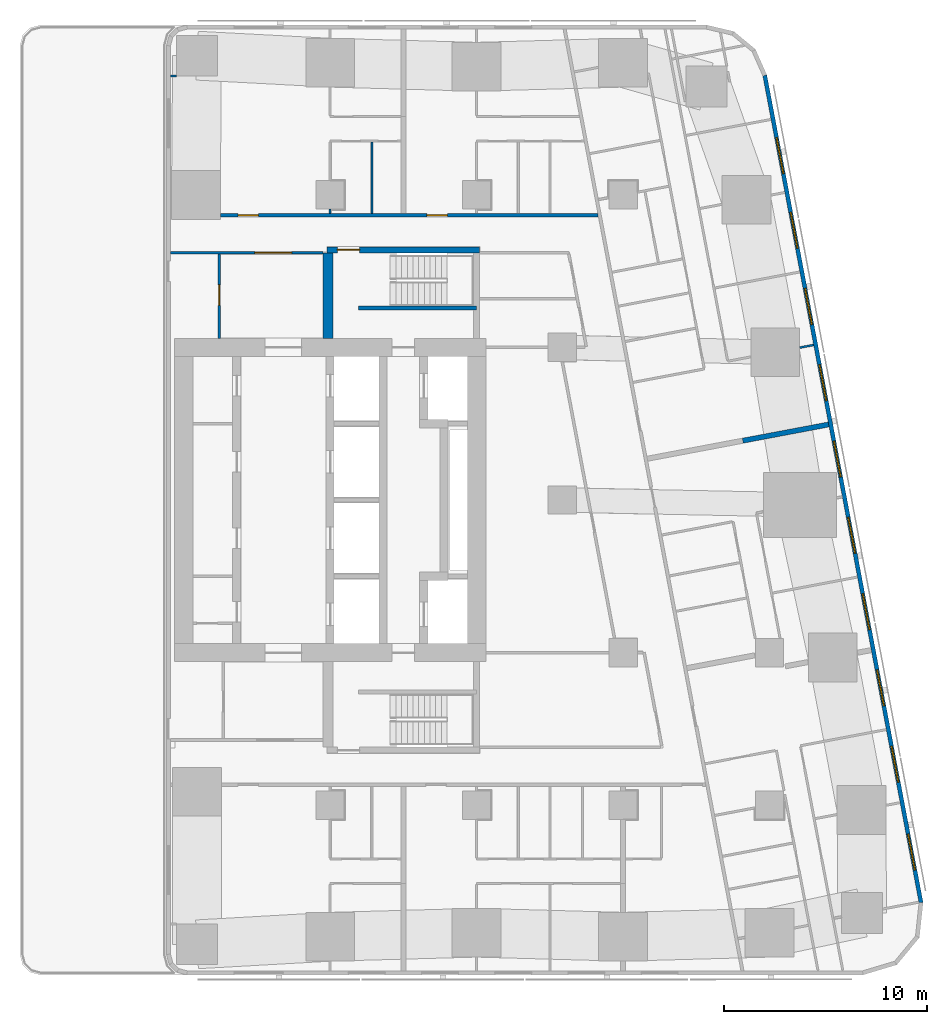
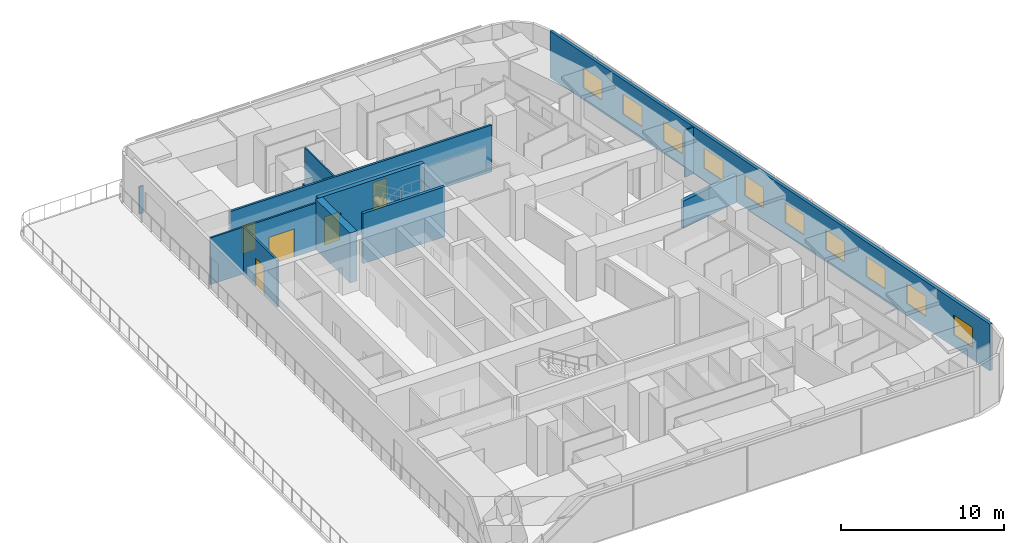
# One storey, part 6 of 11: 12 walls, 10 windows, 5 doors, 15 openings.
"""IFC4 building model written with IfcOpenShell, lengths in metres."""

from ifc_helpers import new_model, si_unit, direction, frame, frame_2d, origin, place, context, subcontext, project, spatial, rectangle, extrude, material, layer, layer_set, type_object, element, fill, save


model = new_model("IFC4")

# Units and contexts
model_context = context("Model", 3, precision=1e-05, world=origin(), true_north=direction((0.0, 1.0)))
body_context = subcontext(model_context, "Body", "Model", "MODEL_VIEW")
ifc_project = project(units=[si_unit("LENGTHUNIT", "METRE"), si_unit("AREAUNIT", "SQUARE_METRE"), si_unit("VOLUMEUNIT", "CUBIC_METRE"), si_unit("PLANEANGLEUNIT", "RADIAN"), si_unit("MASSUNIT", "GRAM", prefix="KILO")], contexts=[model_context])

# Site, building, storey
site_placement = place(None, origin())
site = spatial("IfcSite", under=ifc_project, at=site_placement, CompositionType="ELEMENT")
building_placement = place(site_placement, origin())
building = spatial("IfcBuilding", under=site, at=building_placement, Name="Sheger Commons Tower", CompositionType="ELEMENT")
storey_placement = place(building_placement, frame((0.0, 0.0, 223.699951171875)))
storey = spatial("IfcBuildingStorey", under=building, at=storey_placement, Name="L57", CompositionType="ELEMENT", Elevation=223.699951171875)

# Wall, openings, doors
ifc_material_1 = material(Name="Hollow concrete block masonry, skimmed both sides", Category="masonry")
ifc_layer_1 = layer(ifc_material_1, 0.14990234375)
ifc_layer_set_1 = layer_set([ifc_layer_1], Name="CORRIDOR WALL 150")
wall_type_1 = type_object("IfcWallType", Name="CORRIDOR WALL 150", PredefinedType="SOLIDWALL", material=ifc_layer_set_1)
wall_1_placement = place(storey_placement, frame((16.200927734375, 36.5, 0.0), z_axis=(0.0, 0.0, 1.0), x_axis=(1.0, 0.0, 0.0)))
wall_1 = element("IfcWall", 1, at=wall_1_placement, inside=storey, type_object=wall_type_1, Name="Corridor wall L57", PredefinedType="SOLIDWALL", context=body_context, shape_type="SweptSolid", body=[
    extrude(rectangle(XDim=18.56396484375, YDim=0.14990234375, at=frame_2d((9.281982421875, 0.0))), origin(), (0.0, 0.0, 1.0), 3.5),
])
opening_1_placement = place(wall_1_placement, frame((0.8740234375, 0.0, 0.0)))
opening_1 = element("IfcOpeningElement", 2, at=opening_1_placement, cuts=wall_1, Name="Opening D1", PredefinedType="OPENING", context=body_context, shape_type="SweptSolid", body=[
    extrude(rectangle(XDim=1.0, YDim=2.10009765625, at=frame_2d((0.5, 1.050048828125))), frame((0.0, 0.0849609375, 0.0), z_axis=(0.0, -1.0, 0.0), x_axis=(1.0, 0.0, 0.0)), (0.0, 0.0, 1.0), 0.169921875),
])
opening_2_placement = place(wall_1_placement, frame((10.156005859375, 0.0, 0.0)))
opening_2 = element("IfcOpeningElement", 3, at=opening_2_placement, cuts=wall_1, Name="Opening D1", PredefinedType="OPENING", context=body_context, shape_type="SweptSolid", body=[
    extrude(rectangle(XDim=1.0, YDim=2.10009765625, at=frame_2d((0.5, 1.050048828125))), frame((0.0, 0.0849609375, 0.0), z_axis=(0.0, -1.0, 0.0), x_axis=(1.0, 0.0, 0.0)), (0.0, 0.0, 1.0), 0.169921875),
])
ifc_material_2 = material(Name="Steel door set, fire rated", Category="steel")
door_type_1 = type_object("IfcDoorType", Name="FLAT ENTRANCE DOOR 1000x2100", OperationType="NOTDEFINED", PredefinedType="DOOR", material=ifc_material_2)
door_1_placement = place(opening_1_placement, origin())
door_1 = element("IfcDoor", 4, at=door_1_placement, inside=storey, type_object=door_type_1, Name="Flat entrance door", OperationType="SINGLE_SWING_LEFT", OverallHeight=2.10009765625, OverallWidth=1.0, PredefinedType="DOOR", context=body_context, shape_type="SweptSolid", body=[
    extrude(rectangle(XDim=1.0, YDim=2.10009765625, at=frame_2d((0.5, 1.050048828125))), frame((0.0, 0.02490234375, 0.0), z_axis=(0.0, -1.0, 0.0), x_axis=(1.0, 0.0, 0.0)), (0.0, 0.0, 1.0), 0.050048828125),
])
fill(opening_1, door_1)
door_2_placement = place(opening_2_placement, origin())
door_2 = element("IfcDoor", 5, at=door_2_placement, inside=storey, type_object=door_type_1, Name="Flat entrance door", OperationType="SINGLE_SWING_LEFT", OverallHeight=2.10009765625, OverallWidth=1.0, PredefinedType="DOOR", context=body_context, shape_type="SweptSolid", body=[
    extrude(rectangle(XDim=1.0, YDim=2.10009765625, at=frame_2d((0.5, 1.050048828125))), frame((0.0, 0.02490234375, 0.0), z_axis=(0.0, -1.0, 0.0), x_axis=(1.0, 0.0, 0.0)), (0.0, 0.0, 1.0), 0.050048828125),
])
fill(opening_2, door_2)

# Wall
ifc_material_3 = material(Name="Dense concrete block masonry, plastered both sides (separating wall between flats)", Category="masonry")
ifc_layer_2 = layer(ifc_material_3, 0.25)
ifc_layer_set_2 = layer_set([ifc_layer_2], Name="DEMISING WALL 250")
wall_type_2 = type_object("IfcWallType", Name="DEMISING WALL 250", PredefinedType="SOLIDWALL", material=ifc_layer_set_2)
wall_2_placement = place(storey_placement, frame((46.110107421875, 26.212890625, 0.0), z_axis=(0.0, 0.0, 1.0), x_axis=(-0.982633535512, -0.185556823879, 0.0)))
element("IfcWall", 6, at=wall_2_placement, inside=storey, type_object=wall_type_2, Name="Demising wall L57", PredefinedType="SOLIDWALL", context=body_context, shape_type="SweptSolid", body=[
    extrude(rectangle(XDim=4.2998046875, YDim=0.25, at=frame_2d((2.14990234375, 0.0))), origin(), (0.0, 0.0, 1.0), 2.050048828125),
])

# Wall, openings, windows
ifc_material_4 = material(Name="Rendered concrete block masonry, dark grey", Category="masonry")
ifc_layer_3 = layer(ifc_material_4, 0.199951171875)
ifc_layer_set_3 = layer_set([ifc_layer_3], Name="FACADE WALL 200")
wall_type_3 = type_object("IfcWallType", Name="FACADE WALL 200", PredefinedType="SOLIDWALL", material=ifc_layer_set_3)
wall_3_placement = place(storey_placement, frame((50.653076171875, 2.702880859375, 0.0), z_axis=(0.0, 0.0, 1.0), x_axis=(-0.185612026696, 0.982623109613, 0.0)))
wall_3 = element("IfcWall", 7, at=wall_3_placement, inside=storey, type_object=wall_type_3, Name="Facade wall L57", PredefinedType="SOLIDWALL", context=body_context, shape_type="SweptSolid", body=[
    extrude(rectangle(XDim=41.393310546875, YDim=0.199951171875, at=frame_2d((20.69677734375, 0.0))), origin(), (0.0, 0.0, 1.0), 3.5),
])
opening_3_placement = place(wall_3_placement, frame((1.633056640625, 0.0, 0.89990234375)))
opening_3 = element("IfcOpeningElement", 8, at=opening_3_placement, cuts=wall_3, Name="Opening W2", PredefinedType="OPENING", context=body_context, shape_type="SweptSolid", body=[
    extrude(rectangle(XDim=1.800048828125, YDim=1.5, at=frame_2d((0.89990234375, 0.75))), frame((0.0, 0.10986328125, 0.0), z_axis=(0.0, -1.0, 0.0), x_axis=(1.0, 0.0, 0.0)), (0.0, 0.0, 1.0), 0.219970703125),
])
opening_4_placement = place(wall_3_placement, frame((6.031982421875, 0.0, 0.89990234375)))
opening_4 = element("IfcOpeningElement", 9, at=opening_4_placement, cuts=wall_3, Name="Opening W2", PredefinedType="OPENING", context=body_context, shape_type="SweptSolid", body=[
    extrude(rectangle(XDim=1.800048828125, YDim=1.5, at=frame_2d((0.89990234375, 0.75))), frame((0.0, 0.10986328125, 0.0), z_axis=(0.0, -1.0, 0.0), x_axis=(1.0, 0.0, 0.0)), (0.0, 0.0, 1.0), 0.219970703125),
])
opening_5_placement = place(wall_3_placement, frame((9.847900390625, 0.0, 0.89990234375)))
opening_5 = element("IfcOpeningElement", 10, at=opening_5_placement, cuts=wall_3, Name="Opening W2", PredefinedType="OPENING", context=body_context, shape_type="SweptSolid", body=[
    extrude(rectangle(XDim=1.800048828125, YDim=1.5, at=frame_2d((0.89990234375, 0.75))), frame((0.0, 0.10986328125, 0.0), z_axis=(0.0, -1.0, 0.0), x_axis=(1.0, 0.0, 0.0)), (0.0, 0.0, 1.0), 0.219970703125),
])
opening_6_placement = place(wall_3_placement, frame((13.6640625, 0.0, 0.89990234375)))
opening_6 = element("IfcOpeningElement", 11, at=opening_6_placement, cuts=wall_3, Name="Opening W2", PredefinedType="OPENING", context=body_context, shape_type="SweptSolid", body=[
    extrude(rectangle(XDim=1.800048828125, YDim=1.5, at=frame_2d((0.89990234375, 0.75))), frame((0.0, 0.10986328125, 0.0), z_axis=(0.0, -1.0, 0.0), x_axis=(1.0, 0.0, 0.0)), (0.0, 0.0, 1.0), 0.219970703125),
])
opening_7_placement = place(wall_3_placement, frame((17.48095703125, 0.0, 0.89990234375)))
opening_7 = element("IfcOpeningElement", 12, at=opening_7_placement, cuts=wall_3, Name="Opening W2", PredefinedType="OPENING", context=body_context, shape_type="SweptSolid", body=[
    extrude(rectangle(XDim=1.800048828125, YDim=1.5, at=frame_2d((0.89990234375, 0.75))), frame((0.0, 0.10986328125, 0.0), z_axis=(0.0, -1.0, 0.0), x_axis=(1.0, 0.0, 0.0)), (0.0, 0.0, 1.0), 0.219970703125),
])
opening_8_placement = place(wall_3_placement, frame((21.297119140625, 0.0, 0.89990234375)))
opening_8 = element("IfcOpeningElement", 13, at=opening_8_placement, cuts=wall_3, Name="Opening W2", PredefinedType="OPENING", context=body_context, shape_type="SweptSolid", body=[
    extrude(rectangle(XDim=1.800048828125, YDim=1.5, at=frame_2d((0.89990234375, 0.75))), frame((0.0, 0.10986328125, 0.0), z_axis=(0.0, -1.0, 0.0), x_axis=(1.0, 0.0, 0.0)), (0.0, 0.0, 1.0), 0.219970703125),
])
opening_9_placement = place(wall_3_placement, frame((25.113037109375, 0.0, 0.89990234375)))
opening_9 = element("IfcOpeningElement", 14, at=opening_9_placement, cuts=wall_3, Name="Opening W2", PredefinedType="OPENING", context=body_context, shape_type="SweptSolid", body=[
    extrude(rectangle(XDim=1.800048828125, YDim=1.5, at=frame_2d((0.89990234375, 0.75))), frame((0.0, 0.10986328125, 0.0), z_axis=(0.0, -1.0, 0.0), x_axis=(1.0, 0.0, 0.0)), (0.0, 0.0, 1.0), 0.219970703125),
])
opening_10_placement = place(wall_3_placement, frame((28.929931640625, 0.0, 0.89990234375)))
opening_10 = element("IfcOpeningElement", 15, at=opening_10_placement, cuts=wall_3, Name="Opening W2", PredefinedType="OPENING", context=body_context, shape_type="SweptSolid", body=[
    extrude(rectangle(XDim=1.800048828125, YDim=1.5, at=frame_2d((0.89990234375, 0.75))), frame((0.0, 0.10986328125, 0.0), z_axis=(0.0, -1.0, 0.0), x_axis=(1.0, 0.0, 0.0)), (0.0, 0.0, 1.0), 0.219970703125),
])
opening_11_placement = place(wall_3_placement, frame((32.74609375, 0.0, 0.89990234375)))
opening_11 = element("IfcOpeningElement", 16, at=opening_11_placement, cuts=wall_3, Name="Opening W2", PredefinedType="OPENING", context=body_context, shape_type="SweptSolid", body=[
    extrude(rectangle(XDim=1.800048828125, YDim=1.5, at=frame_2d((0.89990234375, 0.75))), frame((0.0, 0.10986328125, 0.0), z_axis=(0.0, -1.0, 0.0), x_axis=(1.0, 0.0, 0.0)), (0.0, 0.0, 1.0), 0.219970703125),
])
opening_12_placement = place(wall_3_placement, frame((36.48095703125, 0.0, 0.89990234375)))
opening_12 = element("IfcOpeningElement", 17, at=opening_12_placement, cuts=wall_3, Name="Opening W2", PredefinedType="OPENING", context=body_context, shape_type="SweptSolid", body=[
    extrude(rectangle(XDim=1.800048828125, YDim=1.5, at=frame_2d((0.89990234375, 0.75))), frame((0.0, 0.10986328125, 0.0), z_axis=(0.0, -1.0, 0.0), x_axis=(1.0, 0.0, 0.0)), (0.0, 0.0, 1.0), 0.219970703125),
])
ifc_material_5 = material(Name="Black aluminium frame, dark tinted double glazing", Category="aluminium")
window_type = type_object("IfcWindowType", Name="WINDOW W2 1800x1500", PartitioningType="SINGLE_PANEL", PredefinedType="WINDOW", material=ifc_material_5)
window_1_placement = place(opening_3_placement, origin())
window_1 = element("IfcWindow", 18, at=window_1_placement, inside=storey, type_object=window_type, Name="Window W2 1800X1500", OverallHeight=1.5, OverallWidth=1.800048828125, PartitioningType="SINGLE_PANEL", PredefinedType="WINDOW", context=body_context, shape_type="SweptSolid", body=[
    extrude(rectangle(XDim=1.800048828125, YDim=1.5, at=frame_2d((0.89990234375, 0.75))), frame((0.0, 0.030029296875, 0.0), z_axis=(0.0, -1.0, 0.0), x_axis=(1.0, 0.0, 0.0)), (0.0, 0.0, 1.0), 0.06005859375),
])
fill(opening_3, window_1)
window_2_placement = place(opening_4_placement, origin())
window_2 = element("IfcWindow", 19, at=window_2_placement, inside=storey, type_object=window_type, Name="Window W2 1800X1500", OverallHeight=1.5, OverallWidth=1.800048828125, PartitioningType="SINGLE_PANEL", PredefinedType="WINDOW", context=body_context, shape_type="SweptSolid", body=[
    extrude(rectangle(XDim=1.800048828125, YDim=1.5, at=frame_2d((0.89990234375, 0.75))), frame((0.0, 0.030029296875, 0.0), z_axis=(0.0, -1.0, 0.0), x_axis=(1.0, 0.0, 0.0)), (0.0, 0.0, 1.0), 0.06005859375),
])
fill(opening_4, window_2)
window_3_placement = place(opening_5_placement, origin())
window_3 = element("IfcWindow", 20, at=window_3_placement, inside=storey, type_object=window_type, Name="Window W2 1800X1500", OverallHeight=1.5, OverallWidth=1.800048828125, PartitioningType="SINGLE_PANEL", PredefinedType="WINDOW", context=body_context, shape_type="SweptSolid", body=[
    extrude(rectangle(XDim=1.800048828125, YDim=1.5, at=frame_2d((0.89990234375, 0.75))), frame((0.0, 0.030029296875, 0.0), z_axis=(0.0, -1.0, 0.0), x_axis=(1.0, 0.0, 0.0)), (0.0, 0.0, 1.0), 0.06005859375),
])
fill(opening_5, window_3)
window_4_placement = place(opening_6_placement, origin())
window_4 = element("IfcWindow", 21, at=window_4_placement, inside=storey, type_object=window_type, Name="Window W2 1800X1500", OverallHeight=1.5, OverallWidth=1.800048828125, PartitioningType="SINGLE_PANEL", PredefinedType="WINDOW", context=body_context, shape_type="SweptSolid", body=[
    extrude(rectangle(XDim=1.800048828125, YDim=1.5, at=frame_2d((0.89990234375, 0.75))), frame((0.0, 0.030029296875, 0.0), z_axis=(0.0, -1.0, 0.0), x_axis=(1.0, 0.0, 0.0)), (0.0, 0.0, 1.0), 0.06005859375),
])
fill(opening_6, window_4)
window_5_placement = place(opening_7_placement, origin())
window_5 = element("IfcWindow", 22, at=window_5_placement, inside=storey, type_object=window_type, Name="Window W2 1800X1500", OverallHeight=1.5, OverallWidth=1.800048828125, PartitioningType="SINGLE_PANEL", PredefinedType="WINDOW", context=body_context, shape_type="SweptSolid", body=[
    extrude(rectangle(XDim=1.800048828125, YDim=1.5, at=frame_2d((0.89990234375, 0.75))), frame((0.0, 0.030029296875, 0.0), z_axis=(0.0, -1.0, 0.0), x_axis=(1.0, 0.0, 0.0)), (0.0, 0.0, 1.0), 0.06005859375),
])
fill(opening_7, window_5)
window_6_placement = place(opening_8_placement, origin())
window_6 = element("IfcWindow", 23, at=window_6_placement, inside=storey, type_object=window_type, Name="Window W2 1800X1500", OverallHeight=1.5, OverallWidth=1.800048828125, PartitioningType="SINGLE_PANEL", PredefinedType="WINDOW", context=body_context, shape_type="SweptSolid", body=[
    extrude(rectangle(XDim=1.800048828125, YDim=1.5, at=frame_2d((0.89990234375, 0.75))), frame((0.0, 0.030029296875, 0.0), z_axis=(0.0, -1.0, 0.0), x_axis=(1.0, 0.0, 0.0)), (0.0, 0.0, 1.0), 0.06005859375),
])
fill(opening_8, window_6)
window_7_placement = place(opening_9_placement, origin())
window_7 = element("IfcWindow", 24, at=window_7_placement, inside=storey, type_object=window_type, Name="Window W2 1800X1500", OverallHeight=1.5, OverallWidth=1.800048828125, PartitioningType="SINGLE_PANEL", PredefinedType="WINDOW", context=body_context, shape_type="SweptSolid", body=[
    extrude(rectangle(XDim=1.800048828125, YDim=1.5, at=frame_2d((0.89990234375, 0.75))), frame((0.0, 0.030029296875, 0.0), z_axis=(0.0, -1.0, 0.0), x_axis=(1.0, 0.0, 0.0)), (0.0, 0.0, 1.0), 0.06005859375),
])
fill(opening_9, window_7)
window_8_placement = place(opening_10_placement, origin())
window_8 = element("IfcWindow", 25, at=window_8_placement, inside=storey, type_object=window_type, Name="Window W2 1800X1500", OverallHeight=1.5, OverallWidth=1.800048828125, PartitioningType="SINGLE_PANEL", PredefinedType="WINDOW", context=body_context, shape_type="SweptSolid", body=[
    extrude(rectangle(XDim=1.800048828125, YDim=1.5, at=frame_2d((0.89990234375, 0.75))), frame((0.0, 0.030029296875, 0.0), z_axis=(0.0, -1.0, 0.0), x_axis=(1.0, 0.0, 0.0)), (0.0, 0.0, 1.0), 0.06005859375),
])
fill(opening_10, window_8)
window_9_placement = place(opening_11_placement, origin())
window_9 = element("IfcWindow", 26, at=window_9_placement, inside=storey, type_object=window_type, Name="Window W2 1800X1500", OverallHeight=1.5, OverallWidth=1.800048828125, PartitioningType="SINGLE_PANEL", PredefinedType="WINDOW", context=body_context, shape_type="SweptSolid", body=[
    extrude(rectangle(XDim=1.800048828125, YDim=1.5, at=frame_2d((0.89990234375, 0.75))), frame((0.0, 0.030029296875, 0.0), z_axis=(0.0, -1.0, 0.0), x_axis=(1.0, 0.0, 0.0)), (0.0, 0.0, 1.0), 0.06005859375),
])
fill(opening_11, window_9)
window_10_placement = place(opening_12_placement, origin())
window_10 = element("IfcWindow", 27, at=window_10_placement, inside=storey, type_object=window_type, Name="Window W2 1800X1500", OverallHeight=1.5, OverallWidth=1.800048828125, PartitioningType="SINGLE_PANEL", PredefinedType="WINDOW", context=body_context, shape_type="SweptSolid", body=[
    extrude(rectangle(XDim=1.800048828125, YDim=1.5, at=frame_2d((0.89990234375, 0.75))), frame((0.0, 0.030029296875, 0.0), z_axis=(0.0, -1.0, 0.0), x_axis=(1.0, 0.0, 0.0)), (0.0, 0.0, 1.0), 0.06005859375),
])
fill(opening_12, window_10)

# Walls
ifc_material_6 = material(Name="Gypsum board on steel studs", Category="steel")
ifc_layer_4 = layer(ifc_material_6, 0.10009765625)
ifc_layer_set_4 = layer_set([ifc_layer_4], Name="PARTITION 100")
wall_type_4 = type_object("IfcWallType", Name="PARTITION 100", PredefinedType="PARTITIONING", material=ifc_layer_set_4)
wall_4_placement = place(storey_placement, frame((45.3720703125, 30.12109375, 0.0), z_axis=(0.0, 0.0, 1.0), x_axis=(-0.98254419619, -0.186029305578, 0.0)))
element("IfcWall", 28, at=wall_4_placement, inside=storey, type_object=wall_type_4, Name="Partition L57", PredefinedType="PARTITIONING", context=body_context, shape_type="SweptSolid", body=[
    extrude(rectangle(XDim=0.6943359375, YDim=0.10009765625, at=frame_2d((0.34716796875, 0.0))), origin(), (0.0, 0.0, 1.0), 3.5),
])
wall_5_placement = place(storey_placement, frame((14.053955078125, 43.345947265625, 0.0), z_axis=(0.0, 0.0, 1.0), x_axis=(-1.0, 0.0, 0.0)))
element("IfcWall", 29, at=wall_5_placement, inside=storey, type_object=wall_type_4, Name="Partition L57", PredefinedType="PARTITIONING", context=body_context, shape_type="SweptSolid", body=[
    extrude(rectangle(XDim=0.303955078125, YDim=0.10009765625, at=frame_2d((0.15185546875, 0.0))), origin(), (0.0, 0.0, 1.0), 2.050048828125),
])
wall_6_placement = place(storey_placement, frame((21.60009765625, 36.574951171875, 0.0), z_axis=(0.0, 0.0, 1.0), x_axis=(0.0, 1.0, 0.0)))
element("IfcWall", 30, at=wall_6_placement, inside=storey, type_object=wall_type_4, Name="Partition L57", PredefinedType="PARTITIONING", context=body_context, shape_type="SweptSolid", body=[
    extrude(rectangle(XDim=0.22412109375, YDim=0.10009765625, at=frame_2d((0.112060546875, 0.0))), origin(), (0.0, 0.0, 1.0), 3.5),
])
wall_7_placement = place(storey_placement, frame((23.64990234375, 36.574951171875, 0.0), z_axis=(0.0, 0.0, 1.0), x_axis=(0.0, 1.0, 0.0)))
element("IfcWall", 31, at=wall_7_placement, inside=storey, type_object=wall_type_4, Name="Partition L57", PredefinedType="PARTITIONING", context=body_context, shape_type="SweptSolid", body=[
    extrude(rectangle(XDim=3.525146484375, YDim=0.10009765625, at=frame_2d((1.7626953125, 0.0))), origin(), (0.0, 0.0, 1.0), 3.5),
])

# Wall, opening, door
ifc_material_7 = material(Name="Gypsum board on steel studs, two layers each side, fire rated", Category="steel")
ifc_layer_5 = layer(ifc_material_7, 0.125)
ifc_layer_set_5 = layer_set([ifc_layer_5], Name="SERVICE WALL 125")
wall_type_5 = type_object("IfcWallType", Name="SERVICE WALL 125", PredefinedType="PARTITIONING", material=ifc_layer_set_5)
wall_8_placement = place(storey_placement, frame((13.75, 34.64990234375, 0.0), z_axis=(0.0, 0.0, 1.0), x_axis=(1.0, 0.0, 0.0)))
wall_8 = element("IfcWall", 32, at=wall_8_placement, inside=storey, type_object=wall_type_5, Name="Service room wall L57", PredefinedType="PARTITIONING", context=body_context, shape_type="SweptSolid", body=[
    extrude(rectangle(XDim=7.5, YDim=0.125, at=frame_2d((3.75, 0.0))), origin(), (0.0, 0.0, 1.0), 3.5),
])
opening_13_placement = place(wall_8_placement, frame((4.14990234375, 0.0, 0.0)))
opening_13 = element("IfcOpeningElement", 33, at=opening_13_placement, cuts=wall_8, Name="Opening D6", PredefinedType="OPENING", context=body_context, shape_type="SweptSolid", body=[
    extrude(rectangle(XDim=1.800048828125, YDim=2.10009765625, at=frame_2d((0.89990234375, 1.050048828125))), frame((0.0, 0.072509765625, 0.0), z_axis=(0.0, -1.0, 0.0), x_axis=(1.0, 0.0, 0.0)), (0.0, 0.0, 1.0), 0.14501953125),
])
ifc_material_8 = material(Name="Steel door set, fire rated", Category="steel")
door_type_2 = type_object("IfcDoorType", Name="LOBBY DOUBLE DOOR 1800x2100", OperationType="DOUBLE_DOOR_SINGLE_SWING", PredefinedType="DOOR", material=ifc_material_8)
door_3_placement = place(opening_13_placement, origin())
door_3 = element("IfcDoor", 34, at=door_3_placement, inside=storey, type_object=door_type_2, Name="Lift lobby north door", OperationType="DOUBLE_DOOR_SINGLE_SWING", OverallHeight=2.10009765625, OverallWidth=1.800048828125, PredefinedType="DOOR", context=body_context, shape_type="SweptSolid", body=[
    extrude(rectangle(XDim=1.800048828125, YDim=2.10009765625, at=frame_2d((0.89990234375, 1.050048828125))), frame((0.0, 0.02490234375, 0.0), z_axis=(0.0, -1.0, 0.0), x_axis=(1.0, 0.0, 0.0)), (0.0, 0.0, 1.0), 0.050048828125),
])
fill(opening_13, door_3)

wall_9_placement = place(storey_placement, frame((16.14990234375, 30.449951171875, 0.0), z_axis=(0.0, 0.0, 1.0), x_axis=(0.0, 1.0, 0.0)))
wall_9 = element("IfcWall", 35, at=wall_9_placement, inside=storey, type_object=wall_type_5, Name="Service room wall L57", PredefinedType="PARTITIONING", context=body_context, shape_type="SweptSolid", body=[
    extrude(rectangle(XDim=4.136962890625, YDim=0.125, at=frame_2d((2.068359375, 0.0))), origin(), (0.0, 0.0, 1.0), 3.5),
])
opening_14_placement = place(wall_9_placement, frame((1.625, 0.0, 0.0)))
opening_14 = element("IfcOpeningElement", 36, at=opening_14_placement, cuts=wall_9, Name="Opening D4", PredefinedType="OPENING", context=body_context, shape_type="SweptSolid", body=[
    extrude(rectangle(XDim=1.0, YDim=2.10009765625, at=frame_2d((0.5, 1.050048828125))), frame((0.0, 0.072509765625, 0.0), z_axis=(0.0, -1.0, 0.0), x_axis=(1.0, 0.0, 0.0)), (0.0, 0.0, 1.0), 0.14501953125),
])
ifc_material_9 = material(Name="Steel door set, fire rated", Category="steel")
door_type_3 = type_object("IfcDoorType", Name="SERVICE DOOR 1000x2100", OperationType="NOTDEFINED", PredefinedType="DOOR", material=ifc_material_9)
door_4_placement = place(opening_14_placement, origin())
door_4 = element("IfcDoor", 37, at=door_4_placement, inside=storey, type_object=door_type_3, Name="Telecom room door", OperationType="SINGLE_SWING_RIGHT", OverallHeight=2.10009765625, OverallWidth=1.0, PredefinedType="DOOR", context=body_context, shape_type="SweptSolid", body=[
    extrude(rectangle(XDim=1.0, YDim=2.10009765625, at=frame_2d((0.5, 1.050048828125))), frame((0.0, 0.02490234375, 0.0), z_axis=(0.0, -1.0, 0.0), x_axis=(1.0, 0.0, 0.0)), (0.0, 0.0, 1.0), 0.050048828125),
])
fill(opening_14, door_4)

ifc_material_10 = material(Name="Concrete C50/60", Category="concrete")
ifc_layer_6 = layer(ifc_material_10, 0.300048828125)
ifc_layer_set_6 = layer_set([ifc_layer_6], Name="STAIR CORE WALL 300")
wall_type_6 = type_object("IfcWallType", Name="STAIR CORE WALL 300", PredefinedType="SHEAR", material=ifc_layer_set_6)
wall_10_placement = place(storey_placement, frame((21.449951171875, 34.800048828125, 0.0), z_axis=(0.0, 0.0, 1.0), x_axis=(1.0, 0.0, 0.0)))
wall_10 = element("IfcWall", 38, at=wall_10_placement, inside=storey, type_object=wall_type_6, Name="STW-L57-S2N", PredefinedType="SHEAR", context=body_context, shape_type="SweptSolid", body=[
    extrude(rectangle(XDim=7.5, YDim=0.300048828125, at=frame_2d((3.75, 0.0))), origin(), (0.0, 0.0, 1.0), 3.75),
])
opening_15_placement = place(wall_10_placement, frame((0.5, 0.0, 0.0)))
opening_15 = element("IfcOpeningElement", 39, at=opening_15_placement, cuts=wall_10, Name="Opening D5", PredefinedType="OPENING", context=body_context, shape_type="SweptSolid", body=[
    extrude(rectangle(XDim=1.10009765625, YDim=2.10009765625, at=frame_2d((0.550048828125, 1.050048828125))), frame((0.0, 0.159912109375, 0.0), z_axis=(0.0, -1.0, 0.0), x_axis=(1.0, 0.0, 0.0)), (0.0, 0.0, 1.0), 0.320068359375),
])
ifc_material_11 = material(Name="Steel door set, fire rated", Category="steel")
door_type_4 = type_object("IfcDoorType", Name="STAIR DOOR 1100x2100", OperationType="NOTDEFINED", PredefinedType="DOOR", material=ifc_material_11)
door_5_placement = place(opening_15_placement, origin())
door_5 = element("IfcDoor", 40, at=door_5_placement, inside=storey, type_object=door_type_4, Name="Stair S2 door", OperationType="SINGLE_SWING_RIGHT", OverallHeight=2.10009765625, OverallWidth=1.10009765625, PredefinedType="DOOR", context=body_context, shape_type="SweptSolid", body=[
    extrude(rectangle(XDim=1.10009765625, YDim=2.10009765625, at=frame_2d((0.550048828125, 1.050048828125))), frame((0.0, 0.02490234375, 0.0), z_axis=(0.0, -1.0, 0.0), x_axis=(1.0, 0.0, 0.0)), (0.0, 0.0, 1.0), 0.050048828125),
])
fill(opening_15, door_5)

# Walls
ifc_material_12 = material(Name="Concrete C50/60", Category="concrete")
ifc_layer_7 = layer(ifc_material_12, 0.5)
ifc_layer_set_7 = layer_set([ifc_layer_7], Name="STAIR CORE WALL 500")
wall_type_7 = type_object("IfcWallType", Name="STAIR CORE WALL 500", PredefinedType="SHEAR", material=ifc_layer_set_7)
wall_11_placement = place(storey_placement, frame((21.5, 30.449951171875, 0.0), z_axis=(0.0, 0.0, 1.0), x_axis=(0.0, 1.0, 0.0)))
element("IfcWall", 41, at=wall_11_placement, inside=storey, type_object=wall_type_7, Name="STW-L57-S2W", PredefinedType="SHEAR", context=body_context, shape_type="SweptSolid", body=[
    extrude(rectangle(XDim=4.199951171875, YDim=0.5, at=frame_2d((2.10009765625, 0.0))), origin(), (0.0, 0.0, 1.0), 3.75),
])
ifc_material_13 = material(Name="Concrete C50/60", Category="concrete")
ifc_layer_8 = layer(ifc_material_13, 0.199951171875)
ifc_layer_set_8 = layer_set([ifc_layer_8], Name="STAIR SPINE WALL 200")
wall_type_8 = type_object("IfcWallType", Name="STAIR SPINE WALL 200", PredefinedType="SHEAR", material=ifc_layer_set_8)
wall_12_placement = place(storey_placement, frame((23.0, 31.949951171875, 0.0), z_axis=(0.0, 0.0, 1.0), x_axis=(1.0, 0.0, 0.0)))
element("IfcWall", 42, at=wall_12_placement, inside=storey, type_object=wall_type_8, Name="Stair spine wall L57", PredefinedType="SHEAR", context=body_context, shape_type="SweptSolid", body=[
    extrude(rectangle(XDim=5.800048828125, YDim=0.199951171875, at=frame_2d((2.89990234375, 0.0))), origin(), (0.0, 0.0, 1.0), 3.75),
])

save(model, "model.ifc")
